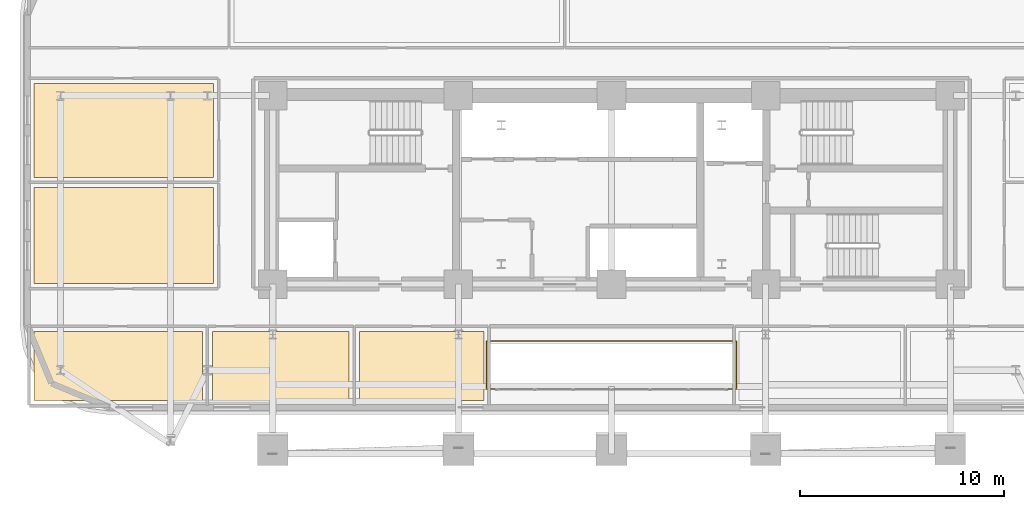
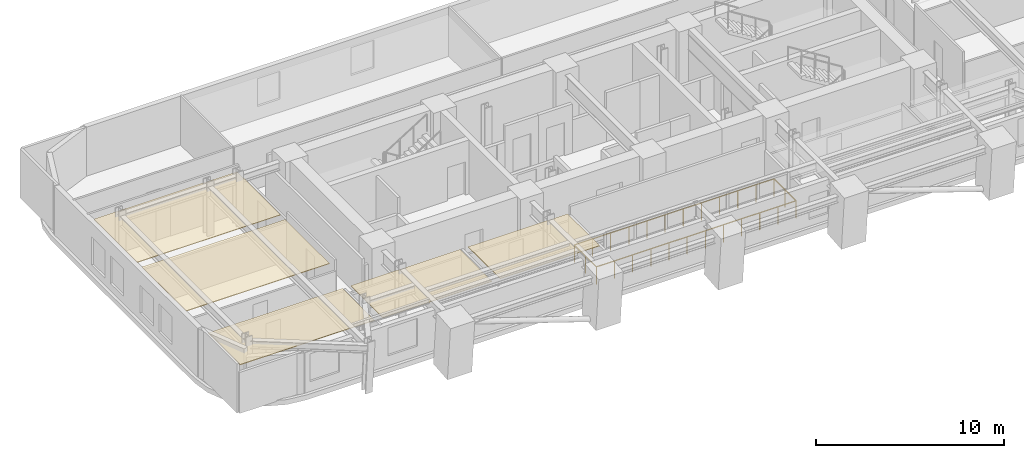
# One storey, part 11 of 15: 5 coverings, 1 railing.
"""IFC4 building model written with IfcOpenShell, lengths in metres."""

from ifc_helpers import new_model, si_unit, direction, frame, origin, origin_2d, place, context, subcontext, project, spatial, polyline, rectangle, outline, extrude, material, layer, layer_set, type_object, element, save


model = new_model("IFC4")

# Units and contexts
model_context = context("Model", 3, precision=1e-05, world=origin(), true_north=direction((0.0, 1.0)))
body_context = subcontext(model_context, "Body", "Model", "MODEL_VIEW")
ifc_project = project(units=[si_unit("LENGTHUNIT", "METRE"), si_unit("AREAUNIT", "SQUARE_METRE"), si_unit("VOLUMEUNIT", "CUBIC_METRE"), si_unit("PLANEANGLEUNIT", "RADIAN"), si_unit("MASSUNIT", "GRAM", prefix="KILO")], contexts=[model_context])

# Site, building, storey
site_placement = place(None, origin())
site = spatial("IfcSite", under=ifc_project, at=site_placement, CompositionType="ELEMENT")
building_placement = place(site_placement, origin())
building = spatial("IfcBuilding", under=site, at=building_placement, Name="Zarnavel Station Tower", CompositionType="ELEMENT")
storey_placement = place(building_placement, frame((0.0, 0.0, 71.0)))
storey = spatial("IfcBuildingStorey", under=building, at=storey_placement, Name="L19", CompositionType="ELEMENT", Elevation=71.0)

# Coverings
ifc_material_1 = material(Name="Perforated Gypsum and Mineral-Wool Acoustic Ceiling", Category="concrete")
ifc_layer = layer(ifc_material_1, 0.0400390625)
ifc_layer_set = layer_set([ifc_layer], Name="COV_CEIL_ACOUSTIC")
covering_type = type_object("IfcCoveringType", Name="COV_CEIL_ACOUSTIC", PredefinedType="CEILING", material=ifc_layer_set)
covering_1_placement = place(storey_placement, frame((0.0, 0.0, 2.860107421875)))
element("IfcCovering", 1, at=covering_1_placement, inside=storey, type_object=covering_type, Name="L19 FNW6A Acoustic Ceiling", PredefinedType="CEILING", context=body_context, shape_type="SweptSolid", body=[
    extrude(outline(polyline([(0.510009765625, 27.85009765625), (9.300048828125, 27.85009765625), (9.300048828125, 32.550048828125), (0.510009765625, 32.550048828125), (0.510009765625, 27.85009765625)])), origin(), (0.0, 0.0, 1.0), 0.039794921875),
])
covering_2_placement = place(storey_placement, frame((0.0, 0.0, 2.860107421875)))
element("IfcCovering", 2, at=covering_2_placement, inside=storey, type_object=covering_type, Name="L19 FNW6B Acoustic Ceiling", PredefinedType="CEILING", context=body_context, shape_type="SweptSolid", body=[
    extrude(outline(polyline([(0.510009765625, 33.050048828125), (9.300048828125, 33.050048828125), (9.300048828125, 37.64990234375), (0.510009765625, 37.64990234375), (0.510009765625, 33.050048828125)])), origin(), (0.0, 0.0, 1.0), 0.039794921875),
])
covering_3_placement = place(storey_placement, frame((0.0, 0.0, 2.860107421875)))
element("IfcCovering", 3, at=covering_3_placement, inside=storey, type_object=covering_type, Name="L19 Z1SPA Acoustic Ceiling", PredefinedType="CEILING", context=body_context, shape_type="SweptSolid", body=[
    extrude(outline(polyline([(0.510009765625, 22.110107421875), (8.75, 22.110107421875), (8.75, 25.5), (0.510009765625, 25.5), (0.510009765625, 22.110107421875)])), origin(), (0.0, 0.0, 1.0), 0.039794921875),
])
covering_4_placement = place(storey_placement, frame((0.0, 0.0, 2.860107421875)))
element("IfcCovering", 4, at=covering_4_placement, inside=storey, type_object=covering_type, Name="L19 Z1TRM Acoustic Ceiling", PredefinedType="CEILING", context=body_context, shape_type="SweptSolid", body=[
    extrude(outline(polyline([(9.25, 22.110107421875), (15.949951171875, 22.110107421875), (15.949951171875, 25.5), (9.25, 25.5), (9.25, 22.110107421875)])), origin(), (0.0, 0.0, 1.0), 0.039794921875),
])
covering_5_placement = place(storey_placement, frame((0.0, 0.0, 2.860107421875)))
element("IfcCovering", 5, at=covering_5_placement, inside=storey, type_object=covering_type, Name="L19 Z1GYM2 Acoustic Ceiling", PredefinedType="CEILING", context=body_context, shape_type="SweptSolid", body=[
    extrude(outline(polyline([(16.449951171875, 22.110107421875), (22.550048828125, 22.110107421875), (22.550048828125, 25.5), (16.449951171875, 25.5), (16.449951171875, 22.110107421875)])), origin(), (0.0, 0.0, 1.0), 0.039794921875),
])

# Railing
ifc_material_2 = material(Name="Painted Steel S355J2 Balustrade", Category="steel")
railing_type = type_object("IfcRailingType", Name="GR_INT_1150", PredefinedType="GUARDRAIL", material=ifc_material_2)
railing_placement = place(storey_placement, frame((22.679931640625, 22.679931640625, 0.0)))
element("IfcRailing", 6, at=railing_placement, inside=storey, type_object=railing_type, Name="L19 Atrium Void Guardrail", PredefinedType="GUARDRAIL", context=body_context, shape_type="SweptSolid", body=[
    extrude(rectangle(XDim=0.048095703125, YDim=0.048095703125, at=origin_2d()), frame((0.001953125, 0.0, 1.1259765625), z_axis=(1.0, 0.0, 0.0), x_axis=(0.0, 1.0, 0.0)), (0.0, 0.0, 1.0), 12.236083984375),
    extrude(rectangle(XDim=0.048095703125, YDim=0.048095703125, at=origin_2d()), frame((12.239990234375, 0.001953125, 1.1259765625), z_axis=(0.0, 1.0, 0.0), x_axis=(-1.0, 0.0, 0.0)), (0.0, 0.0, 1.0), 2.336181640625),
    extrude(rectangle(XDim=0.048095703125, YDim=0.048095703125, at=origin_2d()), frame((12.238037109375, 2.340087890625, 1.1259765625), z_axis=(-1.0, 0.0, 0.0), x_axis=(0.0, -1.0, 0.0)), (0.0, 0.0, 1.0), 12.236083984375),
    extrude(rectangle(XDim=0.048095703125, YDim=0.048095703125, at=origin_2d()), frame((0.0, 2.338134765625, 1.1259765625), z_axis=(0.0, -1.0, 0.0), x_axis=(1.0, 0.0, 0.0)), (0.0, 0.0, 1.0), 2.336181640625),
    extrude(rectangle(XDim=0.0419921875, YDim=0.0419921875, at=origin_2d()), origin(), (0.0, 0.0, 1.0), 1.101806640625),
    extrude(rectangle(XDim=0.0419921875, YDim=0.0419921875, at=origin_2d()), frame((1.11279296875, 0.0, 0.0)), (0.0, 0.0, 1.0), 1.101806640625),
    extrude(rectangle(XDim=0.0419921875, YDim=0.0419921875, at=origin_2d()), frame((2.225341796875, 0.0, 0.0)), (0.0, 0.0, 1.0), 1.101806640625),
    extrude(rectangle(XDim=0.0419921875, YDim=0.0419921875, at=origin_2d()), frame((3.338134765625, 0.0, 0.0)), (0.0, 0.0, 1.0), 1.101806640625),
    extrude(rectangle(XDim=0.0419921875, YDim=0.0419921875, at=origin_2d()), frame((4.450927734375, 0.0, 0.0)), (0.0, 0.0, 1.0), 1.101806640625),
    extrude(rectangle(XDim=0.0419921875, YDim=0.0419921875, at=origin_2d()), frame((5.563720703125, 0.0, 0.0)), (0.0, 0.0, 1.0), 1.101806640625),
    extrude(rectangle(XDim=0.0419921875, YDim=0.0419921875, at=origin_2d()), frame((6.67626953125, 0.0, 0.0)), (0.0, 0.0, 1.0), 1.101806640625),
    extrude(rectangle(XDim=0.0419921875, YDim=0.0419921875, at=origin_2d()), frame((7.7890625, 0.0, 0.0)), (0.0, 0.0, 1.0), 1.101806640625),
    extrude(rectangle(XDim=0.0419921875, YDim=0.0419921875, at=origin_2d()), frame((8.90185546875, 0.0, 0.0)), (0.0, 0.0, 1.0), 1.101806640625),
    extrude(rectangle(XDim=0.0419921875, YDim=0.0419921875, at=origin_2d()), frame((10.0146484375, 0.0, 0.0)), (0.0, 0.0, 1.0), 1.101806640625),
    extrude(rectangle(XDim=0.0419921875, YDim=0.0419921875, at=origin_2d()), frame((11.127197265625, 0.0, 0.0)), (0.0, 0.0, 1.0), 1.101806640625),
    extrude(rectangle(XDim=0.0419921875, YDim=0.0419921875, at=origin_2d()), frame((12.239990234375, 0.0, 0.0)), (0.0, 0.0, 1.0), 1.101806640625),
    extrude(rectangle(XDim=0.0419921875, YDim=0.0419921875, at=origin_2d()), frame((12.239990234375, 1.169921875, 0.0)), (0.0, 0.0, 1.0), 1.101806640625),
    extrude(rectangle(XDim=0.0419921875, YDim=0.0419921875, at=origin_2d()), frame((12.239990234375, 2.340087890625, 0.0)), (0.0, 0.0, 1.0), 1.101806640625),
    extrude(rectangle(XDim=0.0419921875, YDim=0.0419921875, at=origin_2d()), frame((11.127197265625, 2.340087890625, 0.0)), (0.0, 0.0, 1.0), 1.101806640625),
    extrude(rectangle(XDim=0.0419921875, YDim=0.0419921875, at=origin_2d()), frame((10.0146484375, 2.340087890625, 0.0)), (0.0, 0.0, 1.0), 1.101806640625),
    extrude(rectangle(XDim=0.0419921875, YDim=0.0419921875, at=origin_2d()), frame((8.90185546875, 2.340087890625, 0.0)), (0.0, 0.0, 1.0), 1.101806640625),
    extrude(rectangle(XDim=0.0419921875, YDim=0.0419921875, at=origin_2d()), frame((7.7890625, 2.340087890625, 0.0)), (0.0, 0.0, 1.0), 1.101806640625),
    extrude(rectangle(XDim=0.0419921875, YDim=0.0419921875, at=origin_2d()), frame((6.67626953125, 2.340087890625, 0.0)), (0.0, 0.0, 1.0), 1.101806640625),
    extrude(rectangle(XDim=0.0419921875, YDim=0.0419921875, at=origin_2d()), frame((5.563720703125, 2.340087890625, 0.0)), (0.0, 0.0, 1.0), 1.101806640625),
    extrude(rectangle(XDim=0.0419921875, YDim=0.0419921875, at=origin_2d()), frame((4.450927734375, 2.340087890625, 0.0)), (0.0, 0.0, 1.0), 1.101806640625),
    extrude(rectangle(XDim=0.0419921875, YDim=0.0419921875, at=origin_2d()), frame((3.338134765625, 2.340087890625, 0.0)), (0.0, 0.0, 1.0), 1.101806640625),
    extrude(rectangle(XDim=0.0419921875, YDim=0.0419921875, at=origin_2d()), frame((2.225341796875, 2.340087890625, 0.0)), (0.0, 0.0, 1.0), 1.101806640625),
    extrude(rectangle(XDim=0.0419921875, YDim=0.0419921875, at=origin_2d()), frame((1.11279296875, 2.340087890625, 0.0)), (0.0, 0.0, 1.0), 1.101806640625),
    extrude(rectangle(XDim=0.0419921875, YDim=0.0419921875, at=origin_2d()), frame((0.0, 2.340087890625, 0.0)), (0.0, 0.0, 1.0), 1.101806640625),
    extrude(rectangle(XDim=0.0419921875, YDim=0.0419921875, at=origin_2d()), frame((0.0, 1.169921875, 0.0)), (0.0, 0.0, 1.0), 1.101806640625),
])

save(model, "model.ifc")
